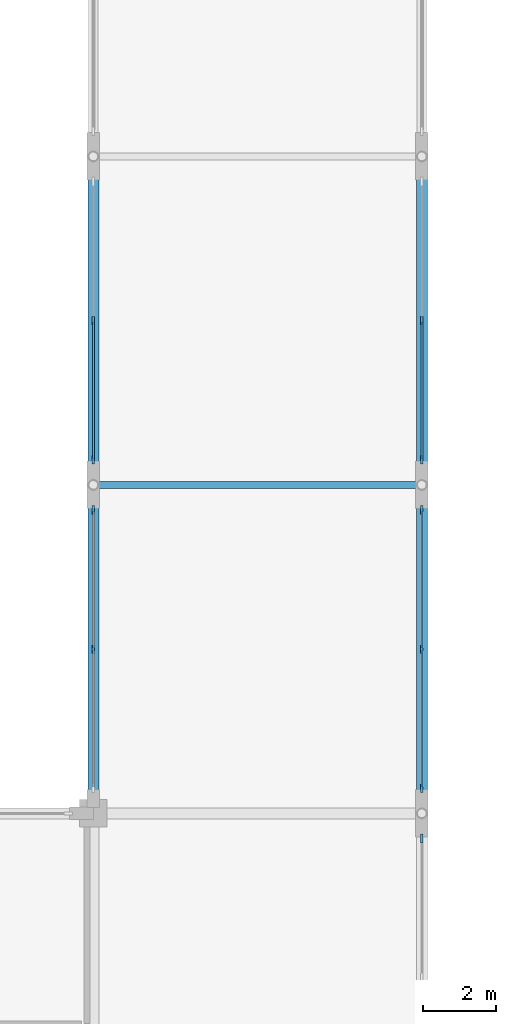
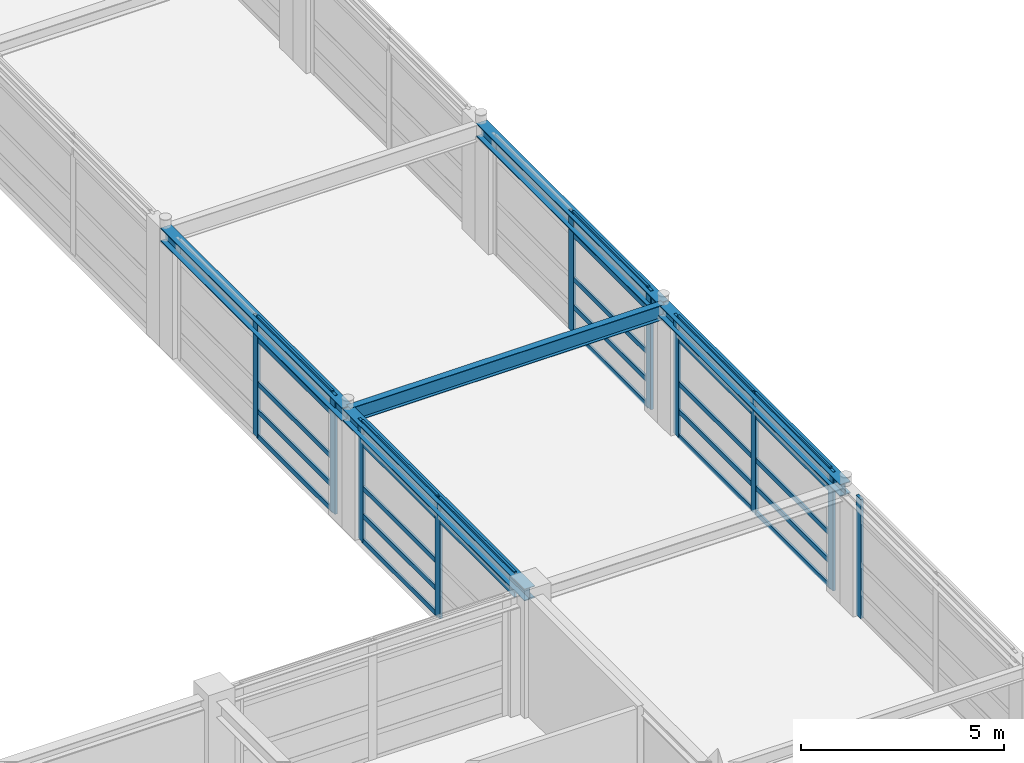
# One storey, part 24 of 79: 37 members, 5 beams, 5 elements without a shape of their own.
"""IFC4 building model written with IfcOpenShell, lengths in metres."""

from ifc_helpers import new_model, si_unit, direction, frame, origin, origin_2d, place, context, subcontext, project, spatial, rectangle, i_section, extrude, material, material_profile, profile_set, type_object, element, aggregate, save


model = new_model("IFC4")

# Units and contexts
model_context = context("Model", 3, precision=1e-05, world=origin(), true_north=direction((0.0, 1.0)))
body_context = subcontext(model_context, "Body", "Model", "MODEL_VIEW")
ifc_project = project(units=[si_unit("LENGTHUNIT", "METRE"), si_unit("AREAUNIT", "SQUARE_METRE"), si_unit("VOLUMEUNIT", "CUBIC_METRE"), si_unit("PLANEANGLEUNIT", "RADIAN"), si_unit("MASSUNIT", "GRAM", prefix="KILO")], contexts=[model_context])

# Site, building, storey
site_placement = place(None, origin())
site = spatial("IfcSite", under=ifc_project, at=site_placement, CompositionType="ELEMENT")
building_placement = place(site_placement, origin())
building = spatial("IfcBuilding", under=site, at=building_placement, Name="Palais des Congres Ocreval", CompositionType="ELEMENT")
storey_placement = place(building_placement, frame((0.0, 0.0, 4.320068359375)))
storey = spatial("IfcBuildingStorey", under=building, at=storey_placement, Name="L01", CompositionType="ELEMENT", Elevation=4.320068359375)

# Beam
ifc_material_1 = material(Name="Steel S355", Category="steel")
ifc_material_profile_1 = material_profile(ifc_material_1, i_section(OverallWidth=0.18994140625, OverallDepth=0.449951171875, WebThickness=0.009521484375, FlangeThickness=0.0146484375, at=origin_2d()), Name="IPE 450")
ifc_profile_set_1 = profile_set([ifc_material_profile_1], Name="Steel S355")
beam_type_1 = type_object("IfcBeamType", Name="Composite Beam IPE 450 Steel S355", PredefinedType="BEAM", material=ifc_profile_set_1)
beam_placement = place(storey_placement, frame((72.02001953125, 27.0, 3.35498046875), z_axis=(1.0, 0.0, 0.0), x_axis=(0.0, 1.0, 0.0)))
element("IfcBeam", 1, at=beam_placement, inside=storey, type_object=beam_type_1, Name="Beam B03 L01", PredefinedType="BEAM", context=body_context, shape_type="SweptSolid", body=[
    extrude(i_section(OverallWidth=0.18994140625, OverallDepth=0.449951171875, WebThickness=0.009521484375, FlangeThickness=0.0146484375, at=origin_2d()), origin(), (0.0, 0.0, 1.0), 8.9599609375),
])

# Curtain wall, members
ifc_material_2 = material(Name="Anodized bronze aluminium and low-E glass", Category="glass")
curtain_wall_type = type_object("IfcCurtainWallType", Name="Unitised Curtain Wall 7900x3660", PredefinedType="USERDEFINED", material=ifc_material_2)
curtain_wall_1_placement = place(storey_placement, origin())
curtain_wall_1 = element("IfcCurtainWall", 2, at=curtain_wall_1_placement, inside=storey, type_object=curtain_wall_type, Name="Unitised Curtain Wall CW02 L01", ObjectType="UNITISED CURTAIN WALL", PredefinedType="USERDEFINED")
ifc_material_3 = material(Name="Anodized bronze aluminium", Category="aluminium")
ifc_material_profile_2 = material_profile(ifc_material_3, rectangle(XDim=0.074951171875, YDim=0.239990234375, at=origin_2d()), Name="ALU 75x240")
ifc_profile_set_2 = profile_set([ifc_material_profile_2], Name="Anodized bronze aluminium")
member_type_1 = type_object("IfcMemberType", Name="Curtain Wall Mullion ALU 75x240", PredefinedType="MULLION", material=ifc_profile_set_2)
member_1_placement = place(storey_placement, frame((81.0, 31.5, 0.0), z_axis=(0.0, 0.0, 1.0), x_axis=(1.0, 0.0, 0.0)))
member_1 = element("IfcMember", 3, at=member_1_placement, type_object=member_type_1, Name="Curtain Wall Mullion ML01", PredefinedType="MULLION", context=body_context, shape_type="SweptSolid", body=[
    extrude(rectangle(XDim=0.074951171875, YDim=0.239990234375, at=origin_2d()), origin(), (0.0, 0.0, 1.0), 3.58984375),
])
member_2_placement = place(storey_placement, frame((81.0, 27.6875, 0.0), z_axis=(0.0, 0.0, 1.0), x_axis=(1.0, 0.0, 0.0)))
member_2 = element("IfcMember", 4, at=member_2_placement, type_object=member_type_1, Name="Curtain Wall Mullion ML01", PredefinedType="MULLION", context=body_context, shape_type="SweptSolid", body=[
    extrude(rectangle(XDim=0.074951171875, YDim=0.239990234375, at=origin_2d()), origin(), (0.0, 0.0, 1.0), 3.58984375),
])

curtain_wall_2_placement = place(storey_placement, origin())
curtain_wall_2 = element("IfcCurtainWall", 5, at=curtain_wall_2_placement, inside=storey, type_object=curtain_wall_type, Name="Unitised Curtain Wall CW02 L01", ObjectType="UNITISED CURTAIN WALL", PredefinedType="USERDEFINED")
member_3_placement = place(storey_placement, frame((81.0, 26.3125, 0.0), z_axis=(0.0, 0.0, 1.0), x_axis=(1.0, 0.0, 0.0)))
member_3 = element("IfcMember", 6, at=member_3_placement, type_object=member_type_1, Name="Curtain Wall Mullion ML01", PredefinedType="MULLION", context=body_context, shape_type="SweptSolid", body=[
    extrude(rectangle(XDim=0.074951171875, YDim=0.239990234375, at=origin_2d()), origin(), (0.0, 0.0, 1.0), 3.58984375),
])
member_4_placement = place(storey_placement, frame((81.0, 22.5, 0.0), z_axis=(0.0, 0.0, 1.0), x_axis=(1.0, 0.0, 0.0)))
member_4 = element("IfcMember", 7, at=member_4_placement, type_object=member_type_1, Name="Curtain Wall Mullion ML01", PredefinedType="MULLION", context=body_context, shape_type="SweptSolid", body=[
    extrude(rectangle(XDim=0.074951171875, YDim=0.239990234375, at=origin_2d()), origin(), (0.0, 0.0, 1.0), 3.58984375),
])
member_5_placement = place(storey_placement, frame((81.0, 18.6875, 0.0), z_axis=(0.0, 0.0, 1.0), x_axis=(1.0, 0.0, 0.0)))
member_5 = element("IfcMember", 8, at=member_5_placement, type_object=member_type_1, Name="Curtain Wall Mullion ML01", PredefinedType="MULLION", context=body_context, shape_type="SweptSolid", body=[
    extrude(rectangle(XDim=0.074951171875, YDim=0.239990234375, at=origin_2d()), origin(), (0.0, 0.0, 1.0), 3.58984375),
])

# Curtain wall, member
curtain_wall_3_placement = place(storey_placement, origin())
curtain_wall_3 = element("IfcCurtainWall", 9, at=curtain_wall_3_placement, inside=storey, type_object=curtain_wall_type, Name="Unitised Curtain Wall CW02 L01", ObjectType="UNITISED CURTAIN WALL", PredefinedType="USERDEFINED")
member_6_placement = place(storey_placement, frame((81.0, 17.3125, 0.0), z_axis=(0.0, 0.0, 1.0), x_axis=(1.0, 0.0, 0.0)))
member_6 = element("IfcMember", 10, at=member_6_placement, type_object=member_type_1, Name="Curtain Wall Mullion ML01", PredefinedType="MULLION", context=body_context, shape_type="SweptSolid", body=[
    extrude(rectangle(XDim=0.074951171875, YDim=0.239990234375, at=origin_2d()), origin(), (0.0, 0.0, 1.0), 3.58984375),
])
aggregate(curtain_wall_3, [member_6])

# Curtain wall, members
curtain_wall_4_placement = place(storey_placement, origin())
curtain_wall_4 = element("IfcCurtainWall", 11, at=curtain_wall_4_placement, inside=storey, type_object=curtain_wall_type, Name="Unitised Curtain Wall CW02 L01", ObjectType="UNITISED CURTAIN WALL", PredefinedType="USERDEFINED")
member_7_placement = place(storey_placement, frame((72.0, 22.5, 0.0), z_axis=(0.0, 0.0, 1.0), x_axis=(-1.0, 0.0, 0.0)))
member_7 = element("IfcMember", 12, at=member_7_placement, type_object=member_type_1, Name="Curtain Wall Mullion ML01", PredefinedType="MULLION", context=body_context, shape_type="SweptSolid", body=[
    extrude(rectangle(XDim=0.074951171875, YDim=0.239990234375, at=origin_2d()), origin(), (0.0, 0.0, 1.0), 3.58984375),
])
member_8_placement = place(storey_placement, frame((72.0, 26.3125, 0.0), z_axis=(0.0, 0.0, 1.0), x_axis=(-1.0, 0.0, 0.0)))
member_8 = element("IfcMember", 13, at=member_8_placement, type_object=member_type_1, Name="Curtain Wall Mullion ML01", PredefinedType="MULLION", context=body_context, shape_type="SweptSolid", body=[
    extrude(rectangle(XDim=0.074951171875, YDim=0.239990234375, at=origin_2d()), origin(), (0.0, 0.0, 1.0), 3.58984375),
])

curtain_wall_5_placement = place(storey_placement, origin())
curtain_wall_5 = element("IfcCurtainWall", 14, at=curtain_wall_5_placement, inside=storey, type_object=curtain_wall_type, Name="Unitised Curtain Wall CW02 L01", ObjectType="UNITISED CURTAIN WALL", PredefinedType="USERDEFINED")
member_9_placement = place(storey_placement, frame((72.0, 27.6875, 0.0), z_axis=(0.0, 0.0, 1.0), x_axis=(-1.0, 0.0, 0.0)))
member_9 = element("IfcMember", 15, at=member_9_placement, type_object=member_type_1, Name="Curtain Wall Mullion ML01", PredefinedType="MULLION", context=body_context, shape_type="SweptSolid", body=[
    extrude(rectangle(XDim=0.074951171875, YDim=0.239990234375, at=origin_2d()), origin(), (0.0, 0.0, 1.0), 3.58984375),
])
member_10_placement = place(storey_placement, frame((72.0, 31.5, 0.0), z_axis=(0.0, 0.0, 1.0), x_axis=(-1.0, 0.0, 0.0)))
member_10 = element("IfcMember", 16, at=member_10_placement, type_object=member_type_1, Name="Curtain Wall Mullion ML01", PredefinedType="MULLION", context=body_context, shape_type="SweptSolid", body=[
    extrude(rectangle(XDim=0.074951171875, YDim=0.239990234375, at=origin_2d()), origin(), (0.0, 0.0, 1.0), 3.58984375),
])

# Member
ifc_material_profile_3 = material_profile(ifc_material_3, rectangle(XDim=0.06005859375, YDim=0.14990234375, at=origin_2d()), Name="ALU 60x150")
ifc_profile_set_3 = profile_set([ifc_material_profile_3], Name="Anodized bronze aluminium")
member_type_2 = type_object("IfcMemberType", Name="Curtain Wall Transom ALU 60x150", PredefinedType="USERDEFINED", material=ifc_profile_set_3)
member_11_placement = place(storey_placement, frame((81.0, 31.46240234375, 0.030029296875), z_axis=(0.0, -1.0, 0.0), x_axis=(1.0, 0.0, 0.0)))
member_11 = element("IfcMember", 17, at=member_11_placement, type_object=member_type_2, Name="Curtain Wall Transom TR01", ObjectType="TRANSOM", PredefinedType="USERDEFINED", context=body_context, shape_type="SweptSolid", body=[
    extrude(rectangle(XDim=0.06005859375, YDim=0.14990234375, at=origin_2d()), origin(), (0.0, 0.0, 1.0), 3.7373046875),
])

member_12_placement = place(storey_placement, frame((81.0, 31.46240234375, 0.780029296875), z_axis=(0.0, -1.0, 0.0), x_axis=(1.0, 0.0, 0.0)))
member_12 = element("IfcMember", 18, at=member_12_placement, type_object=member_type_2, Name="Curtain Wall Transom TR01", ObjectType="TRANSOM", PredefinedType="USERDEFINED", context=body_context, shape_type="SweptSolid", body=[
    extrude(rectangle(XDim=0.06005859375, YDim=0.14990234375, at=origin_2d()), origin(), (0.0, 0.0, 1.0), 3.7373046875),
])

member_13_placement = place(storey_placement, frame((81.0, 31.46240234375, 1.616943359375), z_axis=(0.0, -1.0, 0.0), x_axis=(1.0, 0.0, 0.0)))
member_13 = element("IfcMember", 19, at=member_13_placement, type_object=member_type_2, Name="Curtain Wall Transom TR01", ObjectType="TRANSOM", PredefinedType="USERDEFINED", context=body_context, shape_type="SweptSolid", body=[
    extrude(rectangle(XDim=0.06005859375, YDim=0.14990234375, at=origin_2d()), origin(), (0.0, 0.0, 1.0), 3.7373046875),
])

member_14_placement = place(storey_placement, frame((81.0, 31.46240234375, 2.93994140625), z_axis=(0.0, -1.0, 0.0), x_axis=(1.0, 0.0, 0.0)))
member_14 = element("IfcMember", 20, at=member_14_placement, type_object=member_type_2, Name="Curtain Wall Transom TR01", ObjectType="TRANSOM", PredefinedType="USERDEFINED", context=body_context, shape_type="SweptSolid", body=[
    extrude(rectangle(XDim=0.06005859375, YDim=0.14990234375, at=origin_2d()), origin(), (0.0, 0.0, 1.0), 3.7373046875),
])

member_15_placement = place(storey_placement, frame((81.0, 31.46240234375, 3.559814453125), z_axis=(0.0, -1.0, 0.0), x_axis=(1.0, 0.0, 0.0)))
member_15 = element("IfcMember", 21, at=member_15_placement, type_object=member_type_2, Name="Curtain Wall Transom TR01", ObjectType="TRANSOM", PredefinedType="USERDEFINED", context=body_context, shape_type="SweptSolid", body=[
    extrude(rectangle(XDim=0.06005859375, YDim=0.14990234375, at=origin_2d()), origin(), (0.0, 0.0, 1.0), 3.7373046875),
])

aggregate(curtain_wall_1, [member_1, member_2, member_11, member_12, member_13, member_14, member_15])

member_16_placement = place(storey_placement, frame((81.0, 26.27490234375, 0.030029296875), z_axis=(0.0, -1.0, 0.0), x_axis=(1.0, 0.0, 0.0)))
member_16 = element("IfcMember", 22, at=member_16_placement, type_object=member_type_2, Name="Curtain Wall Transom TR01", ObjectType="TRANSOM", PredefinedType="USERDEFINED", context=body_context, shape_type="SweptSolid", body=[
    extrude(rectangle(XDim=0.06005859375, YDim=0.14990234375, at=origin_2d()), origin(), (0.0, 0.0, 1.0), 3.7373046875),
])

member_17_placement = place(storey_placement, frame((81.0, 26.27490234375, 0.780029296875), z_axis=(0.0, -1.0, 0.0), x_axis=(1.0, 0.0, 0.0)))
member_17 = element("IfcMember", 23, at=member_17_placement, type_object=member_type_2, Name="Curtain Wall Transom TR01", ObjectType="TRANSOM", PredefinedType="USERDEFINED", context=body_context, shape_type="SweptSolid", body=[
    extrude(rectangle(XDim=0.06005859375, YDim=0.14990234375, at=origin_2d()), origin(), (0.0, 0.0, 1.0), 3.7373046875),
])

member_18_placement = place(storey_placement, frame((81.0, 26.27490234375, 1.616943359375), z_axis=(0.0, -1.0, 0.0), x_axis=(1.0, 0.0, 0.0)))
member_18 = element("IfcMember", 24, at=member_18_placement, type_object=member_type_2, Name="Curtain Wall Transom TR01", ObjectType="TRANSOM", PredefinedType="USERDEFINED", context=body_context, shape_type="SweptSolid", body=[
    extrude(rectangle(XDim=0.06005859375, YDim=0.14990234375, at=origin_2d()), origin(), (0.0, 0.0, 1.0), 3.7373046875),
])

member_19_placement = place(storey_placement, frame((81.0, 26.27490234375, 2.93994140625), z_axis=(0.0, -1.0, 0.0), x_axis=(1.0, 0.0, 0.0)))
member_19 = element("IfcMember", 25, at=member_19_placement, type_object=member_type_2, Name="Curtain Wall Transom TR01", ObjectType="TRANSOM", PredefinedType="USERDEFINED", context=body_context, shape_type="SweptSolid", body=[
    extrude(rectangle(XDim=0.06005859375, YDim=0.14990234375, at=origin_2d()), origin(), (0.0, 0.0, 1.0), 3.7373046875),
])

member_20_placement = place(storey_placement, frame((81.0, 26.27490234375, 3.559814453125), z_axis=(0.0, -1.0, 0.0), x_axis=(1.0, 0.0, 0.0)))
member_20 = element("IfcMember", 26, at=member_20_placement, type_object=member_type_2, Name="Curtain Wall Transom TR01", ObjectType="TRANSOM", PredefinedType="USERDEFINED", context=body_context, shape_type="SweptSolid", body=[
    extrude(rectangle(XDim=0.06005859375, YDim=0.14990234375, at=origin_2d()), origin(), (0.0, 0.0, 1.0), 3.7373046875),
])

member_21_placement = place(storey_placement, frame((81.0, 22.46240234375, 0.030029296875), z_axis=(0.0, -1.0, 0.0), x_axis=(1.0, 0.0, 0.0)))
member_21 = element("IfcMember", 27, at=member_21_placement, type_object=member_type_2, Name="Curtain Wall Transom TR01", ObjectType="TRANSOM", PredefinedType="USERDEFINED", context=body_context, shape_type="SweptSolid", body=[
    extrude(rectangle(XDim=0.06005859375, YDim=0.14990234375, at=origin_2d()), origin(), (0.0, 0.0, 1.0), 3.7373046875),
])

member_22_placement = place(storey_placement, frame((81.0, 22.46240234375, 0.780029296875), z_axis=(0.0, -1.0, 0.0), x_axis=(1.0, 0.0, 0.0)))
member_22 = element("IfcMember", 28, at=member_22_placement, type_object=member_type_2, Name="Curtain Wall Transom TR01", ObjectType="TRANSOM", PredefinedType="USERDEFINED", context=body_context, shape_type="SweptSolid", body=[
    extrude(rectangle(XDim=0.06005859375, YDim=0.14990234375, at=origin_2d()), origin(), (0.0, 0.0, 1.0), 3.7373046875),
])

member_23_placement = place(storey_placement, frame((81.0, 22.46240234375, 1.616943359375), z_axis=(0.0, -1.0, 0.0), x_axis=(1.0, 0.0, 0.0)))
member_23 = element("IfcMember", 29, at=member_23_placement, type_object=member_type_2, Name="Curtain Wall Transom TR01", ObjectType="TRANSOM", PredefinedType="USERDEFINED", context=body_context, shape_type="SweptSolid", body=[
    extrude(rectangle(XDim=0.06005859375, YDim=0.14990234375, at=origin_2d()), origin(), (0.0, 0.0, 1.0), 3.7373046875),
])

member_24_placement = place(storey_placement, frame((81.0, 22.46240234375, 2.93994140625), z_axis=(0.0, -1.0, 0.0), x_axis=(1.0, 0.0, 0.0)))
member_24 = element("IfcMember", 30, at=member_24_placement, type_object=member_type_2, Name="Curtain Wall Transom TR01", ObjectType="TRANSOM", PredefinedType="USERDEFINED", context=body_context, shape_type="SweptSolid", body=[
    extrude(rectangle(XDim=0.06005859375, YDim=0.14990234375, at=origin_2d()), origin(), (0.0, 0.0, 1.0), 3.7373046875),
])

member_25_placement = place(storey_placement, frame((81.0, 22.46240234375, 3.559814453125), z_axis=(0.0, -1.0, 0.0), x_axis=(1.0, 0.0, 0.0)))
member_25 = element("IfcMember", 31, at=member_25_placement, type_object=member_type_2, Name="Curtain Wall Transom TR01", ObjectType="TRANSOM", PredefinedType="USERDEFINED", context=body_context, shape_type="SweptSolid", body=[
    extrude(rectangle(XDim=0.06005859375, YDim=0.14990234375, at=origin_2d()), origin(), (0.0, 0.0, 1.0), 3.7373046875),
])

aggregate(curtain_wall_2, [member_3, member_4, member_5, member_16, member_17, member_18, member_19, member_20, member_21, member_22, member_23, member_24, member_25])

member_26_placement = place(storey_placement, frame((72.0, 18.72509765625, 2.93994140625), z_axis=(0.0, 1.0, 0.0), x_axis=(-1.0, 0.0, 0.0)))
member_26 = element("IfcMember", 32, at=member_26_placement, type_object=member_type_2, Name="Curtain Wall Transom TR01", ObjectType="TRANSOM", PredefinedType="USERDEFINED", context=body_context, shape_type="SweptSolid", body=[
    extrude(rectangle(XDim=0.06005859375, YDim=0.14990234375, at=origin_2d()), origin(), (0.0, 0.0, 1.0), 3.7373046875),
])

member_27_placement = place(storey_placement, frame((72.0, 18.72509765625, 3.559814453125), z_axis=(0.0, 1.0, 0.0), x_axis=(-1.0, 0.0, 0.0)))
member_27 = element("IfcMember", 33, at=member_27_placement, type_object=member_type_2, Name="Curtain Wall Transom TR01", ObjectType="TRANSOM", PredefinedType="USERDEFINED", context=body_context, shape_type="SweptSolid", body=[
    extrude(rectangle(XDim=0.06005859375, YDim=0.14990234375, at=origin_2d()), origin(), (0.0, 0.0, 1.0), 3.7373046875),
])

member_28_placement = place(storey_placement, frame((72.0, 22.53759765625, 0.030029296875), z_axis=(0.0, 1.0, 0.0), x_axis=(-1.0, 0.0, 0.0)))
member_28 = element("IfcMember", 34, at=member_28_placement, type_object=member_type_2, Name="Curtain Wall Transom TR01", ObjectType="TRANSOM", PredefinedType="USERDEFINED", context=body_context, shape_type="SweptSolid", body=[
    extrude(rectangle(XDim=0.06005859375, YDim=0.14990234375, at=origin_2d()), origin(), (0.0, 0.0, 1.0), 3.7373046875),
])

member_29_placement = place(storey_placement, frame((72.0, 22.53759765625, 0.780029296875), z_axis=(0.0, 1.0, 0.0), x_axis=(-1.0, 0.0, 0.0)))
member_29 = element("IfcMember", 35, at=member_29_placement, type_object=member_type_2, Name="Curtain Wall Transom TR01", ObjectType="TRANSOM", PredefinedType="USERDEFINED", context=body_context, shape_type="SweptSolid", body=[
    extrude(rectangle(XDim=0.06005859375, YDim=0.14990234375, at=origin_2d()), origin(), (0.0, 0.0, 1.0), 3.7373046875),
])

member_30_placement = place(storey_placement, frame((72.0, 22.53759765625, 1.616943359375), z_axis=(0.0, 1.0, 0.0), x_axis=(-1.0, 0.0, 0.0)))
member_30 = element("IfcMember", 36, at=member_30_placement, type_object=member_type_2, Name="Curtain Wall Transom TR01", ObjectType="TRANSOM", PredefinedType="USERDEFINED", context=body_context, shape_type="SweptSolid", body=[
    extrude(rectangle(XDim=0.06005859375, YDim=0.14990234375, at=origin_2d()), origin(), (0.0, 0.0, 1.0), 3.7373046875),
])

member_31_placement = place(storey_placement, frame((72.0, 22.53759765625, 2.93994140625), z_axis=(0.0, 1.0, 0.0), x_axis=(-1.0, 0.0, 0.0)))
member_31 = element("IfcMember", 37, at=member_31_placement, type_object=member_type_2, Name="Curtain Wall Transom TR01", ObjectType="TRANSOM", PredefinedType="USERDEFINED", context=body_context, shape_type="SweptSolid", body=[
    extrude(rectangle(XDim=0.06005859375, YDim=0.14990234375, at=origin_2d()), origin(), (0.0, 0.0, 1.0), 3.7373046875),
])

member_32_placement = place(storey_placement, frame((72.0, 22.53759765625, 3.559814453125), z_axis=(0.0, 1.0, 0.0), x_axis=(-1.0, 0.0, 0.0)))
member_32 = element("IfcMember", 38, at=member_32_placement, type_object=member_type_2, Name="Curtain Wall Transom TR01", ObjectType="TRANSOM", PredefinedType="USERDEFINED", context=body_context, shape_type="SweptSolid", body=[
    extrude(rectangle(XDim=0.06005859375, YDim=0.14990234375, at=origin_2d()), origin(), (0.0, 0.0, 1.0), 3.7373046875),
])

aggregate(curtain_wall_4, [member_7, member_8, member_26, member_27, member_28, member_29, member_30, member_31, member_32])

member_33_placement = place(storey_placement, frame((72.0, 27.72509765625, 0.030029296875), z_axis=(0.0, 1.0, 0.0), x_axis=(-1.0, 0.0, 0.0)))
member_33 = element("IfcMember", 39, at=member_33_placement, type_object=member_type_2, Name="Curtain Wall Transom TR01", ObjectType="TRANSOM", PredefinedType="USERDEFINED", context=body_context, shape_type="SweptSolid", body=[
    extrude(rectangle(XDim=0.06005859375, YDim=0.14990234375, at=origin_2d()), origin(), (0.0, 0.0, 1.0), 3.7373046875),
])

member_34_placement = place(storey_placement, frame((72.0, 27.72509765625, 0.780029296875), z_axis=(0.0, 1.0, 0.0), x_axis=(-1.0, 0.0, 0.0)))
member_34 = element("IfcMember", 40, at=member_34_placement, type_object=member_type_2, Name="Curtain Wall Transom TR01", ObjectType="TRANSOM", PredefinedType="USERDEFINED", context=body_context, shape_type="SweptSolid", body=[
    extrude(rectangle(XDim=0.06005859375, YDim=0.14990234375, at=origin_2d()), origin(), (0.0, 0.0, 1.0), 3.7373046875),
])

member_35_placement = place(storey_placement, frame((72.0, 27.72509765625, 1.616943359375), z_axis=(0.0, 1.0, 0.0), x_axis=(-1.0, 0.0, 0.0)))
member_35 = element("IfcMember", 41, at=member_35_placement, type_object=member_type_2, Name="Curtain Wall Transom TR01", ObjectType="TRANSOM", PredefinedType="USERDEFINED", context=body_context, shape_type="SweptSolid", body=[
    extrude(rectangle(XDim=0.06005859375, YDim=0.14990234375, at=origin_2d()), origin(), (0.0, 0.0, 1.0), 3.7373046875),
])

member_36_placement = place(storey_placement, frame((72.0, 27.72509765625, 2.93994140625), z_axis=(0.0, 1.0, 0.0), x_axis=(-1.0, 0.0, 0.0)))
member_36 = element("IfcMember", 42, at=member_36_placement, type_object=member_type_2, Name="Curtain Wall Transom TR01", ObjectType="TRANSOM", PredefinedType="USERDEFINED", context=body_context, shape_type="SweptSolid", body=[
    extrude(rectangle(XDim=0.06005859375, YDim=0.14990234375, at=origin_2d()), origin(), (0.0, 0.0, 1.0), 3.7373046875),
])

member_37_placement = place(storey_placement, frame((72.0, 27.72509765625, 3.559814453125), z_axis=(0.0, 1.0, 0.0), x_axis=(-1.0, 0.0, 0.0)))
member_37 = element("IfcMember", 43, at=member_37_placement, type_object=member_type_2, Name="Curtain Wall Transom TR01", ObjectType="TRANSOM", PredefinedType="USERDEFINED", context=body_context, shape_type="SweptSolid", body=[
    extrude(rectangle(XDim=0.06005859375, YDim=0.14990234375, at=origin_2d()), origin(), (0.0, 0.0, 1.0), 3.7373046875),
])

aggregate(curtain_wall_5, [member_9, member_10, member_33, member_34, member_35, member_36, member_37])

# Beams
ifc_material_profile_4 = material_profile(ifc_material_1, i_section(OverallWidth=0.300048828125, OverallDepth=0.360107421875, WebThickness=0.012451171875, FlangeThickness=0.0224609375, at=origin_2d()), Name="HEB 360")
ifc_profile_set_4 = profile_set([ifc_material_profile_4], Name="Steel S355")
beam_type_2 = type_object("IfcBeamType", Name="Perimeter Spandrel HEB 360 Steel S355", PredefinedType="SPANDREL", material=ifc_profile_set_4)
for number, where, z_axis, x_axis, name in (
    (44, (72.0, 18.02001953125, 3.39990234375), (0.0, 1.0, 0.0), (-1.0, 0.0, 0.0), "Girder SP03 L01"),
    (45, (81.0, 18.02001953125, 3.39990234375), (0.0, 1.0, 0.0), (-1.0, 0.0, 0.0), "Girder SP03 L01"),
):
    element("IfcBeam", number, at=place(storey_placement, frame(where, z_axis=z_axis, x_axis=x_axis)), inside=storey, type_object=beam_type_2, Name=name, PredefinedType="SPANDREL", context=body_context, shape_type="SweptSolid", body=[
        extrude(i_section(OverallWidth=0.300048828125, OverallDepth=0.360107421875, WebThickness=0.012451171875, FlangeThickness=0.0224609375, at=origin_2d()), origin(), (0.0, 0.0, 1.0), 8.9599609375),
    ])
ifc_material_profile_5 = material_profile(ifc_material_1, i_section(OverallWidth=0.300048828125, OverallDepth=0.39990234375, WebThickness=0.013427734375, FlangeThickness=0.02392578125, at=origin_2d()), Name="HEB 400")
ifc_profile_set_5 = profile_set([ifc_material_profile_5], Name="Steel S355")
beam_type_3 = type_object("IfcBeamType", Name="Perimeter Spandrel HEB 400 Steel S355", PredefinedType="SPANDREL", material=ifc_profile_set_5)
for number, where, z_axis, x_axis, name in (
    (46, (72.0, 27.02001953125, 3.3798828125), (0.0, 1.0, 0.0), (-1.0, 0.0, 0.0), "Girder SP04 L01"),
    (47, (81.0, 27.02001953125, 3.3798828125), (0.0, 1.0, 0.0), (-1.0, 0.0, 0.0), "Girder SP04 L01"),
):
    element("IfcBeam", number, at=place(storey_placement, frame(where, z_axis=z_axis, x_axis=x_axis)), inside=storey, type_object=beam_type_3, Name=name, PredefinedType="SPANDREL", context=body_context, shape_type="SweptSolid", body=[
        extrude(i_section(OverallWidth=0.300048828125, OverallDepth=0.39990234375, WebThickness=0.013427734375, FlangeThickness=0.02392578125, at=origin_2d()), origin(), (0.0, 0.0, 1.0), 8.9599609375),
    ])

save(model, "model.ifc")
